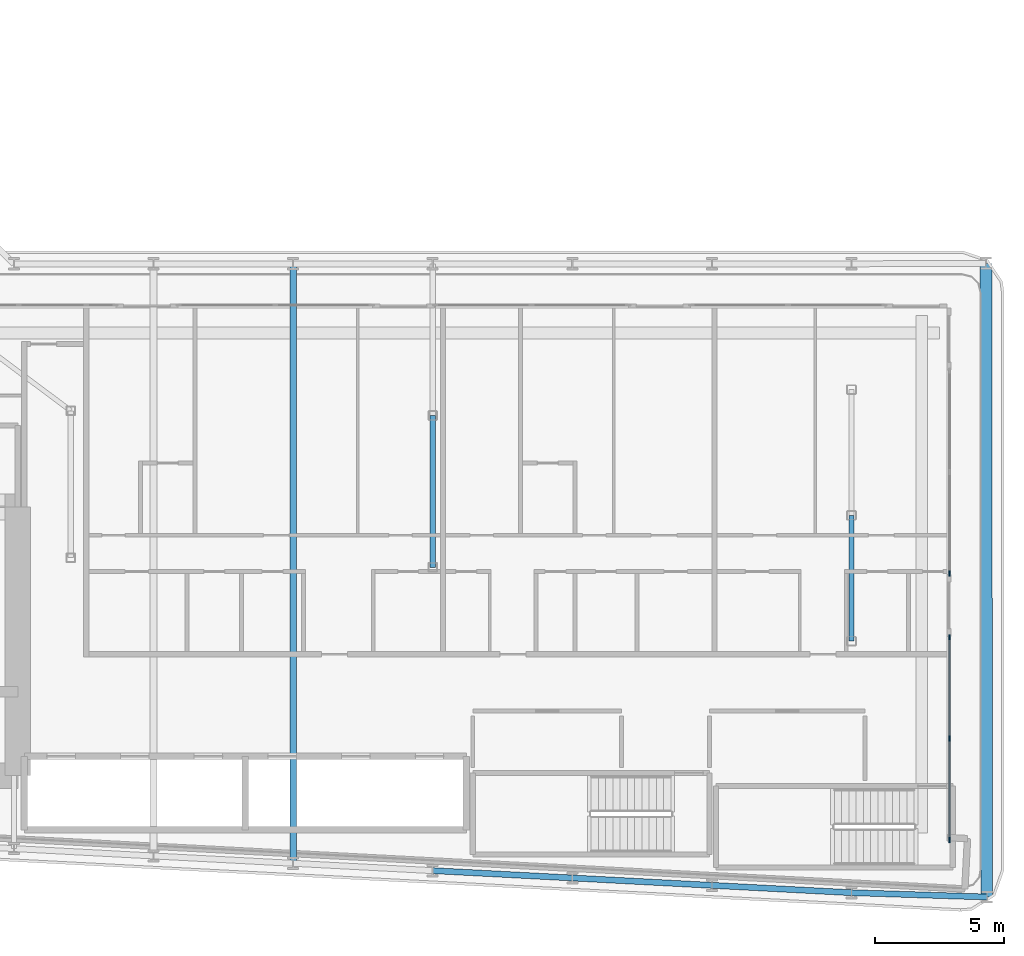
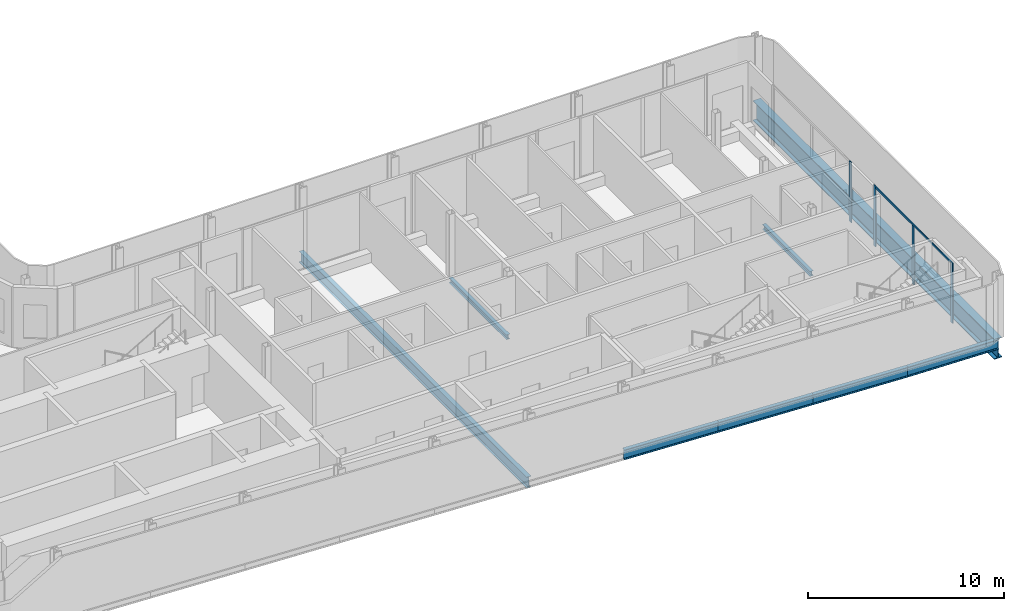
# One storey, part 5 of 25: 8 beams, 5 members, 2 elements without a shape of their own.
"""IFC4 building model written with IfcOpenShell, lengths in metres."""

from ifc_helpers import new_model, si_unit, direction, frame, origin, origin_2d, place, context, subcontext, project, spatial, rectangle, i_section, extrude, material, layer, layer_set, material_profile, profile_set, type_object, element, aggregate, save


model = new_model("IFC4")

# Units and contexts
model_context = context("Model", 3, precision=1e-05, world=origin(), true_north=direction((0.0, 1.0)))
body_context = subcontext(model_context, "Body", "Model", "MODEL_VIEW")
ifc_project = project(units=[si_unit("LENGTHUNIT", "METRE"), si_unit("AREAUNIT", "SQUARE_METRE"), si_unit("VOLUMEUNIT", "CUBIC_METRE"), si_unit("PLANEANGLEUNIT", "RADIAN"), si_unit("MASSUNIT", "GRAM", prefix="KILO")], contexts=[model_context])

# Site, building, storey
site_placement = place(None, origin())
site = spatial("IfcSite", under=ifc_project, at=site_placement, CompositionType="ELEMENT")
building_placement = place(site_placement, origin())
building = spatial("IfcBuilding", under=site, at=building_placement, Name="Kheshtan School and Residences Tower", CompositionType="ELEMENT")
storey_placement = place(building_placement, frame((0.0, 0.0, 34.39990234375)))
storey = spatial("IfcBuildingStorey", under=building, at=storey_placement, Name="L07", CompositionType="ELEMENT", Elevation=34.39990234375)

# Beams
ifc_material_1 = material(Name="Steel ASTM A992 Grade 50", Category="steel")
ifc_material_profile_1 = material_profile(ifc_material_1, i_section(OverallWidth=0.202880859375, OverallDepth=0.302978515625, WebThickness=0.007568359375, FlangeThickness=0.01318359375, FilletRadius=0.009033203125, at=origin_2d()), Name="W310x60")
ifc_profile_set_1 = profile_set([ifc_material_profile_1], Name="Steel ASTM A992 Grade 50")
beam_type_1 = type_object("IfcBeamType", Name="Beam FB1 W310x60 ASTM A992 Grade 50", PredefinedType="BEAM", material=ifc_profile_set_1)
beam_1_placement = place(storey_placement, frame((85.39990234375, 31.0048828125, -0.301513671875), z_axis=(0.0, 1.0, 0.0), x_axis=(-1.0, 0.0, 0.0)))
element("IfcBeam", 1, at=beam_1_placement, inside=storey, type_object=beam_type_1, Name="Floor beam IC", PredefinedType="BEAM", context=body_context, shape_type="SweptSolid", body=[
    extrude(i_section(OverallWidth=0.202880859375, OverallDepth=0.302978515625, WebThickness=0.007568359375, FlangeThickness=0.01318359375, FilletRadius=0.009033203125, at=origin_2d()), origin(), (0.0, 0.0, 1.0), 4.865234375),
])
beam_2_placement = place(storey_placement, frame((69.199951171875, 33.863037109375, -0.301513671875), z_axis=(0.0, 1.0, 0.0), x_axis=(-1.0, 0.0, 0.0)))
element("IfcBeam", 2, at=beam_2_placement, inside=storey, type_object=beam_type_1, Name="Floor beam IC", PredefinedType="BEAM", context=body_context, shape_type="SweptSolid", body=[
    extrude(i_section(OverallWidth=0.202880859375, OverallDepth=0.302978515625, WebThickness=0.007568359375, FlangeThickness=0.01318359375, FilletRadius=0.009033203125, at=origin_2d()), origin(), (0.0, 0.0, 1.0), 5.868896484375),
])
ifc_material_profile_2 = material_profile(ifc_material_1, i_section(OverallWidth=0.2529296875, OverallDepth=0.677978515625, WebThickness=0.01171875, FlangeThickness=0.016357421875, FilletRadius=0.0146484375, at=origin_2d()), Name="W690x125")
ifc_profile_set_2 = profile_set([ifc_material_profile_2], Name="Steel ASTM A992 Grade 50")
beam_type_2 = type_object("IfcBeamType", Name="Beam FB6 W690x125 ASTM A992 Grade 50", PredefinedType="BEAM", material=ifc_profile_set_2)
beam_3_placement = place(storey_placement, frame((63.800048828125, 22.410888671875, -0.489013671875), z_axis=(0.0, 1.0, 0.0), x_axis=(-1.0, 0.0, 0.0)))
element("IfcBeam", 3, at=beam_3_placement, inside=storey, type_object=beam_type_2, Name="Floor beam C016", PredefinedType="BEAM", context=body_context, shape_type="SweptSolid", body=[
    extrude(i_section(OverallWidth=0.2529296875, OverallDepth=0.677978515625, WebThickness=0.01171875, FlangeThickness=0.016357421875, FilletRadius=0.0146484375, at=origin_2d()), origin(), (0.0, 0.0, 1.0), 23.189208984375),
])
ifc_material_profile_3 = material_profile(ifc_material_1, i_section(OverallWidth=0.22998046875, OverallDepth=0.616943359375, WebThickness=0.01318359375, FlangeThickness=0.022216796875, FilletRadius=0.0185546875, at=origin_2d()), Name="W610x140")
ifc_profile_set_3 = profile_set([ifc_material_profile_3], Name="Steel ASTM A992 Grade 50")
beam_type_3 = type_object("IfcBeamType", Name="Beam SP1 W610x140 ASTM A992 Grade 50", PredefinedType="BEAM", material=ifc_profile_set_3)
beam_4_placement = place(storey_placement, frame((90.637939453125, 21.10693359375, -0.45849609375), z_axis=(-0.999492198162, 0.031864491426, 0.0), x_axis=(-0.031864491426, -0.999492198162, 0.0)))
element("IfcBeam", 4, at=beam_4_placement, inside=storey, type_object=beam_type_3, Name="Spandrel beam C007-C008", PredefinedType="BEAM", context=body_context, shape_type="SweptSolid", body=[
    extrude(i_section(OverallWidth=0.22998046875, OverallDepth=0.616943359375, WebThickness=0.01318359375, FlangeThickness=0.022216796875, FilletRadius=0.0185546875, at=origin_2d()), origin(), (0.0, 0.0, 1.0), 5.24072265625),
])
for number, where, z_axis, x_axis, name in (
    (5, (85.39990234375, 21.27392578125, -0.45849609375), (-0.998618078766, 0.052554093665, 0.0), (-0.052554093665, -0.998618078766, 0.0), "Spandrel beam C008-C012"),
    (6, (80.0, 21.55810546875, -0.45849609375), (-0.998610961136, 0.052689166816, 0.0), (-0.052689166816, -0.998610961136, 0.0), "Spandrel beam C012-C013"),
):
    element("IfcBeam", number, at=place(storey_placement, frame(where, z_axis=z_axis, x_axis=x_axis)), inside=storey, type_object=beam_type_3, Name=name, PredefinedType="BEAM", context=body_context, shape_type="SweptSolid", body=[
        extrude(i_section(OverallWidth=0.22998046875, OverallDepth=0.616943359375, WebThickness=0.01318359375, FlangeThickness=0.022216796875, FilletRadius=0.0185546875, at=origin_2d()), origin(), (0.0, 0.0, 1.0), 5.407470703125),
    ])
beam_5_placement = place(storey_placement, frame((74.60009765625, 21.843017578125, -0.45849609375), z_axis=(-0.998620571751, 0.05250670125, 0.0), x_axis=(-0.05250670125, -0.998620571751, 0.0)))
element("IfcBeam", 7, at=beam_5_placement, inside=storey, type_object=beam_type_3, Name="Spandrel beam C013-C014", PredefinedType="BEAM", context=body_context, shape_type="SweptSolid", body=[
    extrude(i_section(OverallWidth=0.22998046875, OverallDepth=0.616943359375, WebThickness=0.01318359375, FlangeThickness=0.022216796875, FilletRadius=0.0185546875, at=origin_2d()), origin(), (0.0, 0.0, 1.0), 5.40771484375),
])

# Curtain wall, member
ifc_material_2 = material(Name="Clear low-e glass in thermally broken aluminium frame", Category="aluminium")
ifc_layer = layer(ifc_material_2, 0.199951171875)
ifc_layer_set = layer_set([ifc_layer], Name="Curtain wall CW-L")
curtain_wall_type = type_object("IfcCurtainWallType", Name="Curtain wall CW-L", PredefinedType="NOTDEFINED", material=ifc_layer_set)
curtain_wall_1_placement = place(storey_placement, origin())
curtain_wall_1 = element("IfcCurtainWall", 8, at=curtain_wall_1_placement, inside=storey, type_object=curtain_wall_type, Name="Curtain wall CWL13", PredefinedType="NOTDEFINED")
ifc_material_3 = material(Name="Thermally broken aluminium, dark bronze anodised", Category="aluminium")
ifc_material_profile_4 = material_profile(ifc_material_3, rectangle(XDim=0.06005859375, YDim=0.199951171875, at=origin_2d()), Name="CW-L mullion 60x200")
ifc_profile_set_4 = profile_set([ifc_material_profile_4], Name="Thermally broken aluminium, dark bronze anodised")
member_type_1 = type_object("IfcMemberType", Name="CW-L mullion 60x200", PredefinedType="MULLION", material=ifc_profile_set_4)
member_1_placement = place(storey_placement, frame((89.199951171875, 33.62158203125, 0.0), z_axis=(0.0, 0.0, 1.0), x_axis=(1.0, 0.0, 0.0)))
member_1 = element("IfcMember", 9, at=member_1_placement, type_object=member_type_1, Name="CWL13 mullion 3", PredefinedType="MULLION", context=body_context, shape_type="SweptSolid", body=[
    extrude(rectangle(XDim=0.06005859375, YDim=0.199951171875, at=origin_2d()), origin(), (0.0, 0.0, 1.0), 3.75),
])
aggregate(curtain_wall_1, [member_1])

# Curtain wall, members
curtain_wall_2_placement = place(storey_placement, origin())
curtain_wall_2 = element("IfcCurtainWall", 10, at=curtain_wall_2_placement, inside=storey, type_object=curtain_wall_type, Name="Curtain wall CWL13", PredefinedType="NOTDEFINED")
member_2_placement = place(storey_placement, frame((89.199951171875, 31.16162109375, 0.0), z_axis=(0.0, 0.0, 1.0), x_axis=(1.0, 0.0, 0.0)))
member_2 = element("IfcMember", 11, at=member_2_placement, type_object=member_type_1, Name="CWL13 mullion 1", PredefinedType="MULLION", context=body_context, shape_type="SweptSolid", body=[
    extrude(rectangle(XDim=0.06005859375, YDim=0.199951171875, at=origin_2d()), origin(), (0.0, 0.0, 1.0), 3.75),
])
member_3_placement = place(storey_placement, frame((89.199951171875, 27.2373046875, 0.0), z_axis=(0.0, 0.0, 1.0), x_axis=(1.0, 0.0, 0.0)))
member_3 = element("IfcMember", 12, at=member_3_placement, type_object=member_type_1, Name="CWL13 mullion 2", PredefinedType="MULLION", context=body_context, shape_type="SweptSolid", body=[
    extrude(rectangle(XDim=0.06005859375, YDim=0.199951171875, at=origin_2d()), origin(), (0.0, 0.0, 1.0), 3.630126953125),
])
member_4_placement = place(storey_placement, frame((89.199951171875, 23.31298828125, 0.0), z_axis=(0.0, 0.0, 1.0), x_axis=(1.0, 0.0, 0.0)))
member_4 = element("IfcMember", 13, at=member_4_placement, type_object=member_type_1, Name="CWL13 mullion 3", PredefinedType="MULLION", context=body_context, shape_type="SweptSolid", body=[
    extrude(rectangle(XDim=0.06005859375, YDim=0.199951171875, at=origin_2d()), origin(), (0.0, 0.0, 1.0), 3.75),
])
ifc_material_profile_5 = material_profile(ifc_material_3, rectangle(XDim=0.06005859375, YDim=0.1201171875, at=origin_2d()), Name="CW-L transom 60x120")
ifc_profile_set_5 = profile_set([ifc_material_profile_5], Name="Thermally broken aluminium, dark bronze anodised")
member_type_2 = type_object("IfcMemberType", Name="CW-L transom 60x120", PredefinedType="USERDEFINED", material=ifc_profile_set_5)
member_5_placement = place(storey_placement, frame((89.199951171875, 31.131591796875, 3.690185546875), z_axis=(0.0, -1.0, 0.0), x_axis=(1.0, 0.0, 0.0)))
member_5 = element("IfcMember", 14, at=member_5_placement, type_object=member_type_2, Name="CWL13 transom 1", ObjectType="TRANSOM", PredefinedType="USERDEFINED", context=body_context, shape_type="SweptSolid", body=[
    extrude(rectangle(XDim=0.06005859375, YDim=0.1201171875, at=origin_2d()), origin(), (0.0, 0.0, 1.0), 7.78857421875),
])
aggregate(curtain_wall_2, [member_2, member_3, member_4, member_5])

# Beam
ifc_material_profile_6 = material_profile(ifc_material_1, i_section(OverallWidth=0.449951171875, OverallDepth=1.25, WebThickness=0.02490234375, FlangeThickness=0.044921875, FilletRadius=0.03759765625, at=origin_2d()), Name="WWF1250x546")
ifc_profile_set_6 = profile_set([ifc_material_profile_6], Name="Steel ASTM A992 Grade 50")
beam_type_4 = type_object("IfcBeamType", Name="Transfer girder TG4 WWF1250x546 ASTM A992 Grade 50", PredefinedType="BEAM", material=ifc_profile_set_6)
beam_6_placement = place(storey_placement, frame((90.60107421875, 45.62109375, -0.77490234375), z_axis=(0.001503832579, -0.999998869243, 0.0), x_axis=(0.999998869243, 0.001503832579, 0.0)))
element("IfcBeam", 15, at=beam_6_placement, inside=storey, type_object=beam_type_4, Name="Transfer girder C075-C007", PredefinedType="BEAM", context=body_context, shape_type="SweptSolid", body=[
    extrude(i_section(OverallWidth=0.449951171875, OverallDepth=1.25, WebThickness=0.02490234375, FlangeThickness=0.044921875, FilletRadius=0.03759765625, at=origin_2d()), origin(), (0.0, 0.0, 1.0), 24.51416015625),
])

save(model, "model.ifc")
